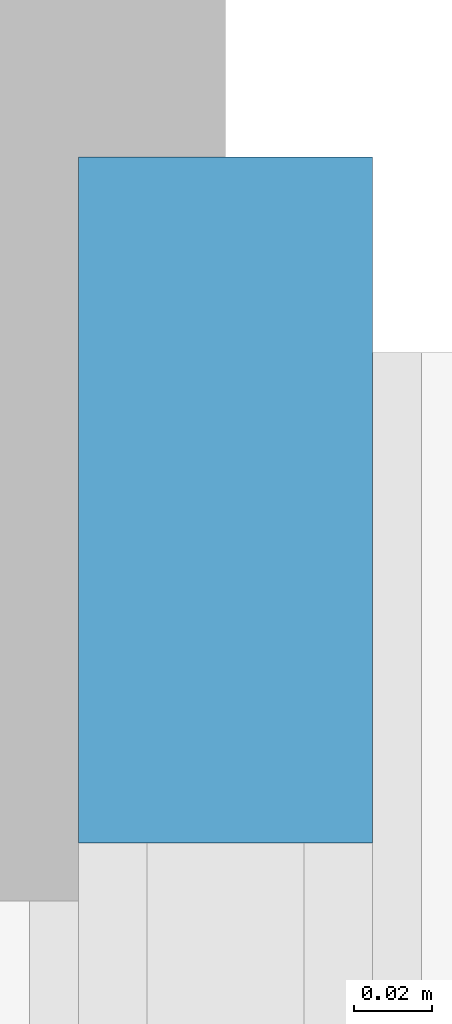
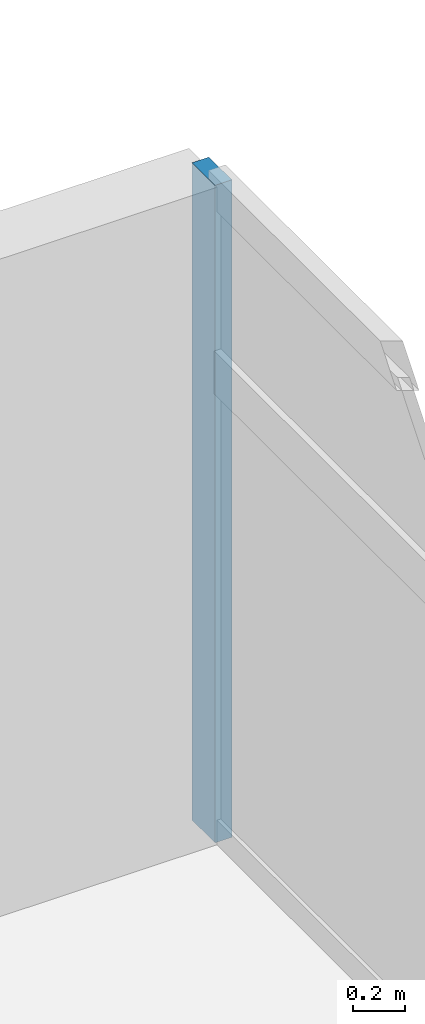
# One storey, part 6 of 15: 1 member, 1 element without a shape of its own.
"""IFC4 building model written with IfcOpenShell, lengths in metres."""

from ifc_helpers import new_model, si_unit, direction, frame, origin, origin_2d, place, context, subcontext, project, spatial, rectangle, extrude, material, material_profile, profile_set, type_object, element, aggregate, save


model = new_model("IFC4")

# Units and contexts
model_context = context("Model", 3, precision=1e-05, world=origin(), true_north=direction((0.0, 1.0)))
body_context = subcontext(model_context, "Body", "Model", "MODEL_VIEW")
ifc_project = project(units=[si_unit("LENGTHUNIT", "METRE"), si_unit("AREAUNIT", "SQUARE_METRE"), si_unit("VOLUMEUNIT", "CUBIC_METRE"), si_unit("PLANEANGLEUNIT", "RADIAN"), si_unit("MASSUNIT", "GRAM", prefix="KILO")], contexts=[model_context])

# Site, building, storey
site_placement = place(None, origin())
site = spatial("IfcSite", under=ifc_project, at=site_placement, CompositionType="ELEMENT")
building_placement = place(site_placement, origin())
building = spatial("IfcBuilding", under=site, at=building_placement, Name="Mirazonda Arch Towers", CompositionType="ELEMENT")
storey_placement = place(building_placement, frame((0.0, 0.0, 229.300048828125)))
storey = spatial("IfcBuildingStorey", under=building, at=storey_placement, Name="L65", CompositionType="ELEMENT", Elevation=229.300048828125)

# Curtain wall, member
ifc_material_1 = material(Name="Anodised Aluminium and Low-E Glass", Category="aluminium")
curtain_wall_type = type_object("IfcCurtainWallType", Name="CW-RES-UNIT", PredefinedType="NOTDEFINED", material=ifc_material_1)
curtain_wall_placement = place(storey_placement, origin())
curtain_wall = element("IfcCurtainWall", 1, at=curtain_wall_placement, inside=storey, type_object=curtain_wall_type, Name="L65 T1 E Facade CW-L65-T1-E", PredefinedType="NOTDEFINED")
ifc_material_2 = material(Name="Anodised Aluminium Alloy", Category="aluminium")
ifc_material_profile = material_profile(ifc_material_2, rectangle(XDim=0.074951171875, YDim=0.175048828125, at=origin_2d()), Name="ALU-MULL-75x175")
ifc_profile_set = profile_set([ifc_material_profile], Name="Anodised Aluminium Alloy")
member_type = type_object("IfcMemberType", Name="MULL-CW-RES-UNIT", PredefinedType="MULLION", material=ifc_profile_set)
member_placement = place(storey_placement, frame((41.419921875, 41.406494140625, 0.0), z_axis=(0.0, 0.0, 1.0), x_axis=(-1.0, 0.0, 0.0)))
member = element("IfcMember", 2, at=member_placement, type_object=member_type, Name="CW-104 mullion 4", PredefinedType="MULLION", context=body_context, shape_type="SweptSolid", body=[
    extrude(rectangle(XDim=0.074951171875, YDim=0.175048828125, at=origin_2d()), origin(), (0.0, 0.0, 1.0), 3.079833984375),
])
aggregate(curtain_wall, [member])

save(model, "model.ifc")
